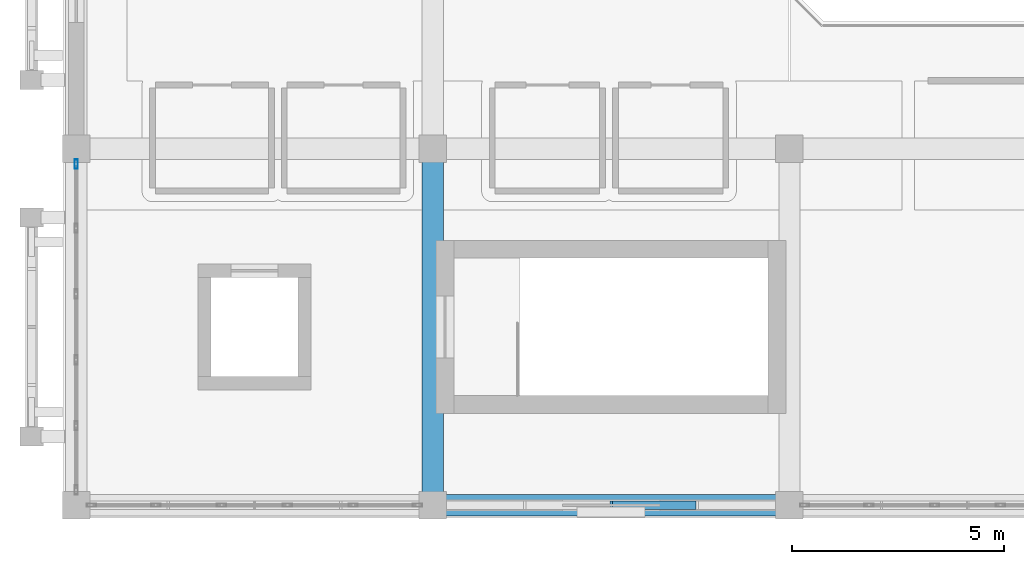
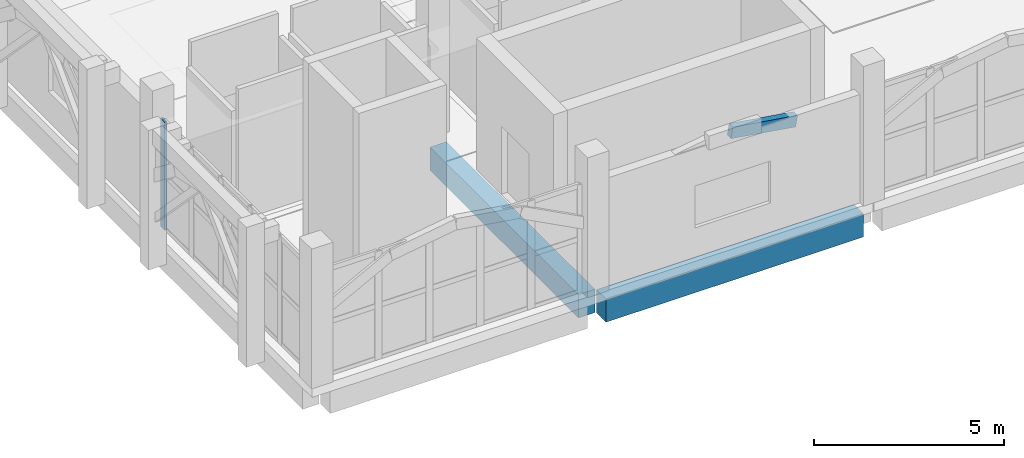
# One storey, part 3 of 16: 2 beams, 2 members, 1 element without a shape of its own.
"""IFC4 building model written with IfcOpenShell, lengths in metres."""

from ifc_helpers import new_model, si_unit, direction, frame, origin, origin_2d, place, context, subcontext, project, spatial, rectangle, hollow_rectangle, extrude, material, layer, layer_set, material_profile, profile_set, type_object, element, aggregate, save


model = new_model("IFC4")

# Units and contexts
model_context = context("Model", 3, precision=1e-05, world=origin(), true_north=direction((0.0, 1.0)))
body_context = subcontext(model_context, "Body", "Model", "MODEL_VIEW")
ifc_project = project(units=[si_unit("LENGTHUNIT", "METRE"), si_unit("AREAUNIT", "SQUARE_METRE"), si_unit("VOLUMEUNIT", "CUBIC_METRE"), si_unit("PLANEANGLEUNIT", "RADIAN"), si_unit("MASSUNIT", "GRAM", prefix="KILO")], contexts=[model_context])

# Site, building, storey
site_placement = place(None, origin())
site = spatial("IfcSite", under=ifc_project, at=site_placement, CompositionType="ELEMENT")
building_placement = place(site_placement, origin())
building = spatial("IfcBuilding", under=site, at=building_placement, Name="Xazarin Passage Department Store", CompositionType="ELEMENT")
storey_placement = place(building_placement, frame((0.0, 0.0, 32.39990234375)))
storey = spatial("IfcBuildingStorey", under=building, at=storey_placement, Name="L07", CompositionType="ELEMENT", Elevation=32.39990234375)

# Curtain wall, member
ifc_material_1 = material(Name="Bronze anodised aluminium", Category="aluminium")
ifc_layer = layer(ifc_material_1, 0.199951171875)
ifc_layer_set = layer_set([ifc_layer], Name="Bronze anodised aluminium")
curtain_wall_type = type_object("IfcCurtainWallType", Name="ARC-CW-VIT2", PredefinedType="NOTDEFINED", material=ifc_layer_set)
curtain_wall_placement = place(storey_placement, origin())
curtain_wall = element("IfcCurtainWall", 1, at=curtain_wall_placement, inside=storey, type_object=curtain_wall_type, Name="L07 V1 Curtain Wall 095", PredefinedType="NOTDEFINED")
ifc_material_profile_1 = material_profile(ifc_material_1, hollow_rectangle(XDim=0.074951171875, YDim=0.219970703125, WallThickness=0.0048828125, at=origin_2d()), Name="ALU 75x220")
ifc_profile_set_1 = profile_set([ifc_material_profile_1], Name="Bronze anodised aluminium")
member_type_1 = type_object("IfcMemberType", Name="ARC-CWM-75x220", PredefinedType="MULLION", material=ifc_profile_set_1)
member_1_placement = place(storey_placement, frame((0.0, 84.4375, 0.0), z_axis=(0.0, 0.0, 1.0), x_axis=(-1.0, 0.0, 0.0)))
member_1 = element("IfcMember", 2, at=member_1_placement, type_object=member_type_1, Name="CW2 mullion 6", PredefinedType="MULLION", context=body_context, shape_type="SweptSolid", body=[
    extrude(hollow_rectangle(XDim=0.074951171875, YDim=0.219970703125, WallThickness=0.0048828125, at=origin_2d()), origin(), (0.0, 0.0, 1.0), 3.489990234375),
])
aggregate(curtain_wall, [member_1])

# Beams
ifc_material_2 = material(Name="Concrete C35/45", Category="concrete")
ifc_material_profile_2 = material_profile(ifc_material_2, rectangle(XDim=0.5, YDim=0.75, at=origin_2d()), Name="RC 500x750")
ifc_profile_set_2 = profile_set([ifc_material_profile_2], Name="Concrete C35/45")
beam_type = type_object("IfcBeamType", Name="STR-BM-SP500x750", PredefinedType="SPANDREL", material=ifc_profile_set_2)
for number, where, z_axis, x_axis, name in (
    (3, (8.679931640625, 76.39990234375, -0.6748046875), (1.0, 0.0, 0.0), (0.0, 1.0, 0.0), "L07 Grid Beam L/2-3"),
    (4, (8.39990234375, 76.679931640625, -0.6748046875), (0.0, 1.0, 0.0), (-1.0, 0.0, 0.0), "L07 Grid Beam 2/L-M"),
):
    element("IfcBeam", number, at=place(storey_placement, frame(where, z_axis=z_axis, x_axis=x_axis)), inside=storey, type_object=beam_type, Name=name, PredefinedType="SPANDREL", context=body_context, shape_type="SweptSolid", body=[
        extrude(rectangle(XDim=0.5, YDim=0.75, at=origin_2d()), origin(), (0.0, 0.0, 1.0), 7.840087890625),
    ])

# Member
ifc_material_3 = material(Name="Concrete C40/50", Category="concrete")
ifc_material_profile_3 = material_profile(ifc_material_3, rectangle(XDim=0.199951171875, YDim=0.360107421875, at=origin_2d()), Name="RC 200x360")
ifc_profile_set_3 = profile_set([ifc_material_profile_3], Name="Concrete C40/50")
member_type_2 = type_object("IfcMemberType", Name="STR-MEM-ARC360", PredefinedType="CHORD", material=ifc_profile_set_3)
member_2_placement = place(storey_placement, frame((12.60009765625, 76.39990234375, 3.580078125), z_axis=(0.987935652704, 0.0, -0.154864928623), x_axis=(0.0, 1.0, 0.0)))
element("IfcMember", 5, at=member_2_placement, inside=storey, type_object=member_type_2, Name="L07 V1 Upper Setback Pierced Arch 042.3", PredefinedType="CHORD", context=body_context, shape_type="SweptSolid", body=[
    extrude(rectangle(XDim=0.199951171875, YDim=0.360107421875, at=origin_2d()), origin(), (0.0, 0.0, 1.0), 1.9990234375),
])

save(model, "model.ifc")
